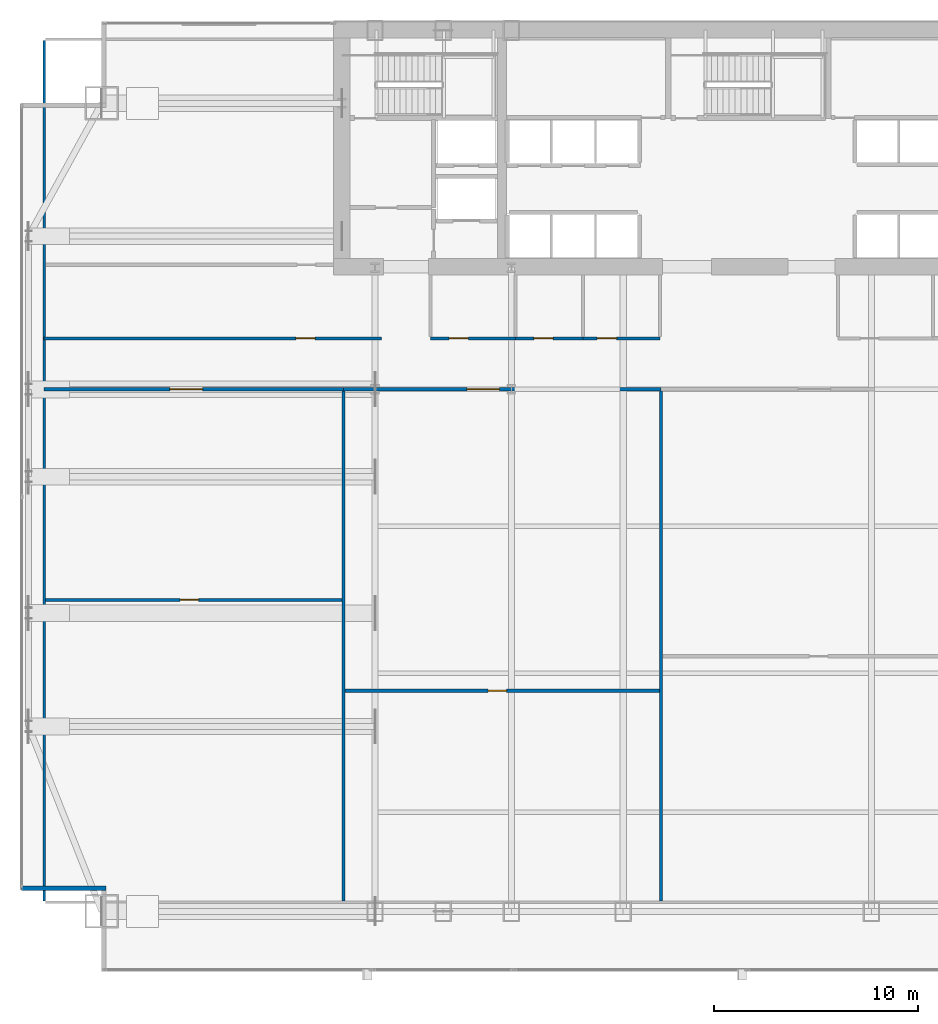
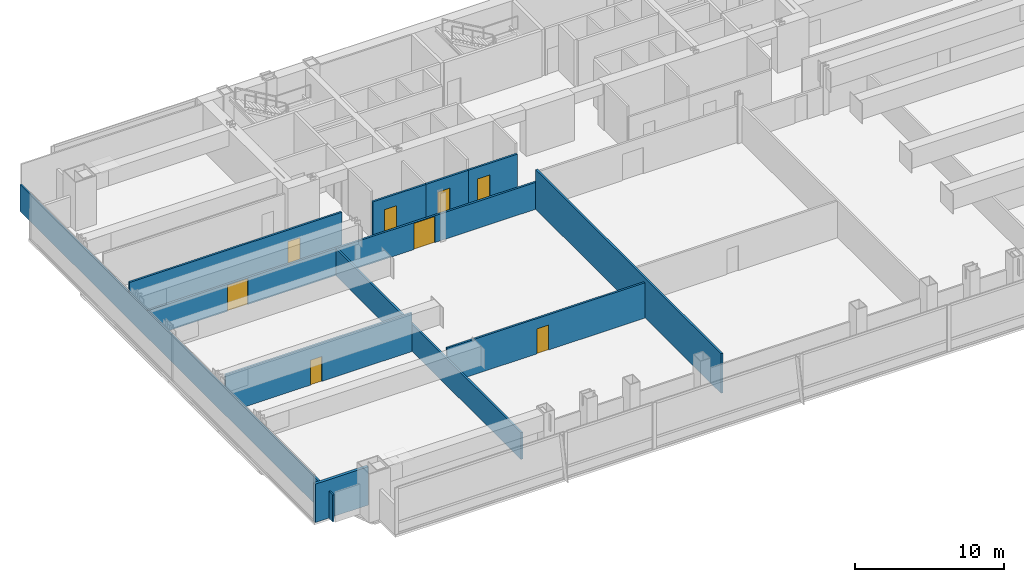
# One storey, part 26 of 32: 12 walls, 8 doors, 8 openings.
"""IFC4 building model written with IfcOpenShell, lengths in metres."""

from ifc_helpers import new_model, si_unit, direction, frame, frame_2d, origin, place, context, subcontext, project, spatial, rectangle, extrude, material, layer, layer_set, type_object, element, fill, save


model = new_model("IFC4")

# Units and contexts
model_context = context("Model", 3, precision=1e-05, world=origin(), true_north=direction((0.0, 1.0)))
body_context = subcontext(model_context, "Body", "Model", "MODEL_VIEW")
ifc_project = project(units=[si_unit("LENGTHUNIT", "METRE"), si_unit("AREAUNIT", "SQUARE_METRE"), si_unit("VOLUMEUNIT", "CUBIC_METRE"), si_unit("PLANEANGLEUNIT", "RADIAN"), si_unit("MASSUNIT", "GRAM", prefix="KILO")], contexts=[model_context])

# Site, building, storey
site_placement = place(None, origin())
site = spatial("IfcSite", under=ifc_project, at=site_placement, CompositionType="ELEMENT")
building_placement = place(site_placement, origin())
building = spatial("IfcBuilding", under=site, at=building_placement, Name="Khoronbel Lancet Exchange", CompositionType="ELEMENT")
storey_placement = place(building_placement, frame((0.0, 0.0, 77.800048828125)))
storey = spatial("IfcBuildingStorey", under=building, at=storey_placement, Name="L18", CompositionType="ELEMENT", Elevation=77.800048828125)

# Wall
ifc_material_1 = material(Name="Precast concrete C40/50", Category="concrete")
ifc_layer_1 = layer(ifc_material_1, 0.25, Name="Precast concrete C40/50")
ifc_layer_set_1 = layer_set([ifc_layer_1], Name="Precast concrete C40/50")
wall_type_1 = type_object("IfcWallType", Name="WL-EXT250", PredefinedType="SOLIDWALL", material=ifc_layer_set_1)
wall_1_placement = place(storey_placement, frame((5.050048828125, 11.2900390625, 0.0), z_axis=(0.0, 0.0, 1.0), x_axis=(-1.0, 0.0, 0.0)))
element("IfcWall", 1, at=wall_1_placement, inside=storey, type_object=wall_type_1, Name="Level L18 notched-corner limestone pier 02", PredefinedType="SOLIDWALL", context=body_context, shape_type="SweptSolid", body=[
    extrude(rectangle(XDim=4.130126953125, YDim=0.219970703125, at=frame_2d((2.06494140625, 0.0))), origin(), (0.0, 0.0, 1.0), 3.159912109375),
])

# Wall, opening, door
ifc_material_2 = material(Name="Acoustic Metal-Stud & Mineral-Wool Gypsum Partition 120 mm", Category="gypsum")
ifc_layer_2 = layer(ifc_material_2, 0.1201171875, Name="Acoustic Metal-Stud & Mineral-Wool Gypsum Partition 120 mm")
ifc_layer_set_2 = layer_set([ifc_layer_2], Name="Acoustic Metal-Stud & Mineral-Wool Gypsum Partition 120 mm")
wall_type_2 = type_object("IfcWallType", Name="WL-PRT120", PredefinedType="PARTITIONING", material=ifc_layer_set_2)
wall_2_placement = place(storey_placement, frame((2.094970703125, 25.395263671875, 0.0), z_axis=(0.0, 0.0, 1.0), x_axis=(1.0, 0.0, 0.0)))
wall_2 = element("IfcWall", 2, at=wall_2_placement, inside=storey, type_object=wall_type_2, Name="Level L18 interior partition PW-Z1S-H1", PredefinedType="PARTITIONING", context=body_context, shape_type="SweptSolid", body=[
    extrude(rectangle(XDim=14.5146484375, YDim=0.14990234375, at=frame_2d((7.25732421875, 0.0))), origin(), (0.0, 0.0, 1.0), 3.159912109375),
])
opening_1_placement = place(wall_2_placement, frame((6.5966796875, 0.0, 0.0)))
opening_1 = element("IfcOpeningElement", 3, at=opening_1_placement, cuts=wall_2, Name="Opening D5", PredefinedType="OPENING", context=body_context, shape_type="SweptSolid", body=[
    extrude(rectangle(XDim=0.89990234375, YDim=2.050048828125, at=frame_2d((0.449951171875, 1.02490234375))), frame((0.0, 0.0849609375, 0.0), z_axis=(0.0, -1.0, 0.0), x_axis=(1.0, 0.0, 0.0)), (0.0, 0.0, 1.0), 0.169921875),
])
ifc_material_3 = material(Name="Acoustic Timber Pantry & Support Door", Category="wood")
door_type_1 = type_object("IfcDoorType", Name="DR-D5", OperationType="NOTDEFINED", PredefinedType="DOOR", material=ifc_material_3)
door_1_placement = place(opening_1_placement, origin())
door_1 = element("IfcDoor", 4, at=door_1_placement, inside=storey, type_object=door_type_1, Name="Z1S inner door 1 L18-1", OperationType="SINGLE_SWING_LEFT", OverallHeight=2.050048828125, OverallWidth=0.89990234375, PredefinedType="DOOR", context=body_context, shape_type="SweptSolid", body=[
    extrude(rectangle(XDim=0.89990234375, YDim=2.050048828125, at=frame_2d((0.449951171875, 1.02490234375))), frame((0.0, 0.02490234375, 0.0), z_axis=(0.0, -1.0, 0.0), x_axis=(1.0, 0.0, 0.0)), (0.0, 0.0, 1.0), 0.050048828125),
])
fill(opening_1, door_1)

wall_3_placement = place(storey_placement, frame((16.76953125, 20.948486328125, 0.0), z_axis=(0.0, 0.0, 1.0), x_axis=(1.0, 0.0, 0.0)))
wall_3 = element("IfcWall", 5, at=wall_3_placement, inside=storey, type_object=wall_type_2, Name="Level L18 interior partition PW-Z1S-H2", PredefinedType="PARTITIONING", context=body_context, shape_type="SweptSolid", body=[
    extrude(rectangle(XDim=15.385498046875, YDim=0.14990234375, at=frame_2d((7.69287109375, 0.0))), origin(), (0.0, 0.0, 1.0), 2.909912109375),
])
opening_2_placement = place(wall_3_placement, frame((6.995361328125, 0.0, 0.0)))
opening_2 = element("IfcOpeningElement", 6, at=opening_2_placement, cuts=wall_3, Name="Opening D5", PredefinedType="OPENING", context=body_context, shape_type="SweptSolid", body=[
    extrude(rectangle(XDim=0.89990234375, YDim=2.050048828125, at=frame_2d((0.449951171875, 1.02490234375))), frame((0.0, 0.0849609375, 0.0), z_axis=(0.0, -1.0, 0.0), x_axis=(1.0, 0.0, 0.0)), (0.0, 0.0, 1.0), 0.169921875),
])
door_2_placement = place(opening_2_placement, origin())
door_2 = element("IfcDoor", 7, at=door_2_placement, inside=storey, type_object=door_type_1, Name="Z1S inner door 2 L18-1", OperationType="SINGLE_SWING_RIGHT", OverallHeight=2.050048828125, OverallWidth=0.89990234375, PredefinedType="DOOR", context=body_context, shape_type="SweptSolid", body=[
    extrude(rectangle(XDim=0.89990234375, YDim=2.050048828125, at=frame_2d((0.449951171875, 1.02490234375))), frame((0.0, 0.02490234375, 0.0), z_axis=(0.0, -1.0, 0.0), x_axis=(1.0, 0.0, 0.0)), (0.0, 0.0, 1.0), 0.050048828125),
])
fill(opening_2, door_2)

# Wall
wall_4_placement = place(storey_placement, frame((2.030029296875, 10.6650390625, 0.0), z_axis=(0.0, 0.0, 1.0), x_axis=(0.0, 1.0, 0.0)))
element("IfcWall", 8, at=wall_4_placement, inside=storey, type_object=wall_type_2, Name="Level L18 interior partition PW-LIN-W", PredefinedType="PARTITIONING", context=body_context, shape_type="SweptSolid", body=[
    extrude(rectangle(XDim=42.10986328125, YDim=0.1201171875, at=frame_2d((21.054931640625, 0.0))), origin(), (0.0, 0.0, 1.0), 2.2099609375),
])

# Wall, opening, door
ifc_material_4 = material(Name="Fire-Rated Twin-Stud Acoustic Gypsum Partition 150 mm", Category="gypsum")
ifc_layer_3 = layer(ifc_material_4, 0.14990234375, Name="Fire-Rated Twin-Stud Acoustic Gypsum Partition 150 mm")
ifc_layer_set_3 = layer_set([ifc_layer_3], Name="Fire-Rated Twin-Stud Acoustic Gypsum Partition 150 mm")
wall_type_3 = type_object("IfcWallType", Name="WL-PRT150C", PredefinedType="PARTITIONING", material=ifc_layer_set_3)
wall_5_placement = place(storey_placement, frame((20.949951171875, 38.199951171875, 0.0), z_axis=(0.0, 0.0, 1.0), x_axis=(1.0, 0.0, 0.0)))
wall_5 = element("IfcWall", 9, at=wall_5_placement, inside=storey, type_object=wall_type_3, Name="Level L18 interior partition PW-WC-S1", PredefinedType="PARTITIONING", context=body_context, shape_type="SweptSolid", body=[
    extrude(rectangle(XDim=4.150146484375, YDim=0.14990234375, at=frame_2d((2.0751953125, 0.0))), origin(), (0.0, 0.0, 1.0), 3.010009765625),
])
opening_3_placement = place(wall_5_placement, frame((0.89990234375, 0.0, 0.0)))
opening_3 = element("IfcOpeningElement", 10, at=opening_3_placement, cuts=wall_5, Name="Opening D4", PredefinedType="OPENING", context=body_context, shape_type="SweptSolid", body=[
    extrude(rectangle(XDim=0.949951171875, YDim=2.050048828125, at=frame_2d((0.47509765625, 1.02490234375))), frame((0.0, 0.0849609375, 0.0), z_axis=(0.0, -1.0, 0.0), x_axis=(1.0, 0.0, 0.0)), (0.0, 0.0, 1.0), 0.169921875),
])
ifc_material_5 = material(Name="Moisture-Resistant HPL Washroom Door", Category="wood")
door_type_2 = type_object("IfcDoorType", Name="DR-D4", OperationType="NOTDEFINED", PredefinedType="DOOR", material=ifc_material_5)
door_3_placement = place(opening_3_placement, origin())
door_3 = element("IfcDoor", 11, at=door_3_placement, inside=storey, type_object=door_type_2, Name="Male washroom door L18-1", OperationType="SINGLE_SWING_RIGHT", OverallHeight=2.050048828125, OverallWidth=0.949951171875, PredefinedType="DOOR", context=body_context, shape_type="SweptSolid", body=[
    extrude(rectangle(XDim=0.949951171875, YDim=2.050048828125, at=frame_2d((0.47509765625, 1.02490234375))), frame((0.0, 0.02490234375, 0.0), z_axis=(0.0, -1.0, 0.0), x_axis=(1.0, 0.0, 0.0)), (0.0, 0.0, 1.0), 0.050048828125),
])
fill(opening_3, door_3)

wall_6_placement = place(storey_placement, frame((25.10009765625, 38.199951171875, 0.0), z_axis=(0.0, 0.0, 1.0), x_axis=(1.0, 0.0, 0.0)))
wall_6 = element("IfcWall", 12, at=wall_6_placement, inside=storey, type_object=wall_type_3, Name="Level L18 interior partition PW-WC-S2", PredefinedType="PARTITIONING", context=body_context, shape_type="SweptSolid", body=[
    extrude(rectangle(XDim=3.2998046875, YDim=0.14990234375, at=frame_2d((1.64990234375, 0.0))), origin(), (0.0, 0.0, 1.0), 3.010009765625),
])
opening_4_placement = place(wall_6_placement, frame((0.89990234375, 0.0, 0.0)))
opening_4 = element("IfcOpeningElement", 13, at=opening_4_placement, cuts=wall_6, Name="Opening D4", PredefinedType="OPENING", context=body_context, shape_type="SweptSolid", body=[
    extrude(rectangle(XDim=0.949951171875, YDim=2.050048828125, at=frame_2d((0.47509765625, 1.02490234375))), frame((0.0, 0.0849609375, 0.0), z_axis=(0.0, -1.0, 0.0), x_axis=(1.0, 0.0, 0.0)), (0.0, 0.0, 1.0), 0.169921875),
])
door_4_placement = place(opening_4_placement, origin())
door_4 = element("IfcDoor", 14, at=door_4_placement, inside=storey, type_object=door_type_2, Name="Female washroom door L18-1", OperationType="SINGLE_SWING_LEFT", OverallHeight=2.050048828125, OverallWidth=0.949951171875, PredefinedType="DOOR", context=body_context, shape_type="SweptSolid", body=[
    extrude(rectangle(XDim=0.949951171875, YDim=2.050048828125, at=frame_2d((0.47509765625, 1.02490234375))), frame((0.0, 0.02490234375, 0.0), z_axis=(0.0, -1.0, 0.0), x_axis=(1.0, 0.0, 0.0)), (0.0, 0.0, 1.0), 0.050048828125),
])
fill(opening_4, door_4)

wall_7_placement = place(storey_placement, frame((28.39990234375, 38.199951171875, 0.0), z_axis=(0.0, 0.0, 1.0), x_axis=(1.0, 0.0, 0.0)))
wall_7 = element("IfcWall", 15, at=wall_7_placement, inside=storey, type_object=wall_type_3, Name="Level L18 interior partition PW-WC-S3", PredefinedType="PARTITIONING", context=body_context, shape_type="SweptSolid", body=[
    extrude(rectangle(XDim=3.780029296875, YDim=0.14990234375, at=frame_2d((1.89013671875, 0.0))), origin(), (0.0, 0.0, 1.0), 3.010009765625),
])
opening_5_placement = place(wall_7_placement, frame((0.699951171875, 0.0, 0.0)))
opening_5 = element("IfcOpeningElement", 16, at=opening_5_placement, cuts=wall_7, Name="Opening D4", PredefinedType="OPENING", context=body_context, shape_type="SweptSolid", body=[
    extrude(rectangle(XDim=0.949951171875, YDim=2.050048828125, at=frame_2d((0.47509765625, 1.02490234375))), frame((0.0, 0.0849609375, 0.0), z_axis=(0.0, -1.0, 0.0), x_axis=(1.0, 0.0, 0.0)), (0.0, 0.0, 1.0), 0.169921875),
])
door_5_placement = place(opening_5_placement, origin())
door_5 = element("IfcDoor", 17, at=door_5_placement, inside=storey, type_object=door_type_2, Name="Accessible WC door L18-1", OperationType="SINGLE_SWING_RIGHT", OverallHeight=2.050048828125, OverallWidth=0.949951171875, PredefinedType="DOOR", context=body_context, shape_type="SweptSolid", body=[
    extrude(rectangle(XDim=0.949951171875, YDim=2.050048828125, at=frame_2d((0.47509765625, 1.02490234375))), frame((0.0, 0.02490234375, 0.0), z_axis=(0.0, -1.0, 0.0), x_axis=(1.0, 0.0, 0.0)), (0.0, 0.0, 1.0), 0.050048828125),
])
fill(opening_5, door_5)

wall_8_placement = place(storey_placement, frame((2.030029296875, 38.199951171875, 0.0), z_axis=(0.0, 0.0, 1.0), x_axis=(1.0, 0.0, 0.0)))
wall_8 = element("IfcWall", 18, at=wall_8_placement, inside=storey, type_object=wall_type_3, Name="Level L18 interior partition PW-NW-S", PredefinedType="PARTITIONING", context=body_context, shape_type="SweptSolid", body=[
    extrude(rectangle(XDim=16.52001953125, YDim=0.14990234375, at=frame_2d((8.260009765625, 0.0))), origin(), (0.0, 0.0, 1.0), 3.010009765625),
])
opening_6_placement = place(wall_8_placement, frame((12.320068359375, 0.0, 0.0)))
opening_6 = element("IfcOpeningElement", 19, at=opening_6_placement, cuts=wall_8, Name="Opening D1", PredefinedType="OPENING", context=body_context, shape_type="SweptSolid", body=[
    extrude(rectangle(XDim=0.949951171875, YDim=2.050048828125, at=frame_2d((0.47509765625, 1.02490234375))), frame((0.0, 0.0849609375, 0.0), z_axis=(0.0, -1.0, 0.0), x_axis=(1.0, 0.0, 0.0)), (0.0, 0.0, 1.0), 0.169921875),
])
ifc_material_6 = material(Name="Acoustic Veneered Timber & Bronze Frame Door", Category="wood")
door_type_3 = type_object("IfcDoorType", Name="DR-D1", OperationType="NOTDEFINED", PredefinedType="DOOR", material=ifc_material_6)
door_6_placement = place(opening_6_placement, origin())
door_6 = element("IfcDoor", 20, at=door_6_placement, inside=storey, type_object=door_type_3, Name="NW corner room door L18-1", OperationType="SINGLE_SWING_LEFT", OverallHeight=2.050048828125, OverallWidth=0.949951171875, PredefinedType="DOOR", context=body_context, shape_type="SweptSolid", body=[
    extrude(rectangle(XDim=0.949951171875, YDim=2.050048828125, at=frame_2d((0.47509765625, 1.02490234375))), frame((0.0, 0.02490234375, 0.0), z_axis=(0.0, -1.0, 0.0), x_axis=(1.0, 0.0, 0.0)), (0.0, 0.0, 1.0), 0.050048828125),
])
fill(opening_6, door_6)

# Walls
wall_9_placement = place(storey_placement, frame((16.689697265625, 10.6650390625, 0.0), z_axis=(0.0, 0.0, 1.0), x_axis=(0.0, 1.0, 0.0)))
element("IfcWall", 21, at=wall_9_placement, inside=storey, type_object=wall_type_3, Name="Level L18 interior partition PW-Z1S-V1", PredefinedType="PARTITIONING", context=body_context, shape_type="SweptSolid", body=[
    extrude(rectangle(XDim=24.949951171875, YDim=0.14990234375, at=frame_2d((12.47509765625, 0.0))), origin(), (0.0, 0.0, 1.0), 2.2099609375),
])
wall_10_placement = place(storey_placement, frame((32.235107421875, 10.6650390625, 0.0), z_axis=(0.0, 0.0, 1.0), x_axis=(0.0, 1.0, 0.0)))
element("IfcWall", 22, at=wall_10_placement, inside=storey, type_object=wall_type_3, Name="Level L18 interior partition PW-Z1S-V2", PredefinedType="PARTITIONING", context=body_context, shape_type="SweptSolid", body=[
    extrude(rectangle(XDim=24.949951171875, YDim=0.14990234375, at=frame_2d((12.47509765625, 0.0))), origin(), (0.0, 0.0, 1.0), 3.260009765625),
])

# Wall, opening, door
ifc_material_7 = material(Name="Fire-Rated Twin-Stud Acoustic Gypsum Partition 160 mm", Category="gypsum")
ifc_layer_4 = layer(ifc_material_7, 0.159912109375, Name="Fire-Rated Twin-Stud Acoustic Gypsum Partition 160 mm")
ifc_layer_set_4 = layer_set([ifc_layer_4], Name="Fire-Rated Twin-Stud Acoustic Gypsum Partition 160 mm")
wall_type_4 = type_object("IfcWallType", Name="WL-PRT160C", PredefinedType="PARTITIONING", material=ifc_layer_set_4)
wall_11_placement = place(storey_placement, frame((2.030029296875, 35.699951171875, 0.0), z_axis=(0.0, 0.0, 1.0), x_axis=(1.0, 0.0, 0.0)))
wall_11 = element("IfcWall", 23, at=wall_11_placement, inside=storey, type_object=wall_type_4, Name="Level L18 interior partition PW-Z1S-COR1", PredefinedType="PARTITIONING", context=body_context, shape_type="SweptSolid", body=[
    extrude(rectangle(XDim=14.65966796875, YDim=0.159912109375, at=frame_2d((7.329833984375, 0.0))), origin(), (0.0, 0.0, 1.0), 2.2099609375),
])
opening_7_placement = place(wall_11_placement, frame((6.156982421875, 0.0, 0.0)))
opening_7 = element("IfcOpeningElement", 24, at=opening_7_placement, cuts=wall_11, Name="Opening D3", PredefinedType="OPENING", context=body_context, shape_type="SweptSolid", body=[
    extrude(rectangle(XDim=1.60009765625, YDim=2.14990234375, at=frame_2d((0.800048828125, 1.074951171875))), frame((0.0, 0.08984375, 0.0), z_axis=(0.0, -1.0, 0.0), x_axis=(1.0, 0.0, 0.0)), (0.0, 0.0, 1.0), 0.179931640625),
])
ifc_material_8 = material(Name="Glazed Bronze-Framed Double Suite Door", Category="aluminium")
door_type_4 = type_object("IfcDoorType", Name="DR-D3", OperationType="NOTDEFINED", PredefinedType="DOOR", material=ifc_material_8)
door_7_placement = place(opening_7_placement, origin())
door_7 = element("IfcDoor", 25, at=door_7_placement, inside=storey, type_object=door_type_4, Name="Z1S bay 1 door L18-1", OperationType="DOUBLE_DOOR_SINGLE_SWING", OverallHeight=2.14990234375, OverallWidth=1.60009765625, PredefinedType="DOOR", context=body_context, shape_type="SweptSolid", body=[
    extrude(rectangle(XDim=1.60009765625, YDim=2.14990234375, at=frame_2d((0.800048828125, 1.074951171875))), frame((0.0, 0.02490234375, 0.0), z_axis=(0.0, -1.0, 0.0), x_axis=(1.0, 0.0, 0.0)), (0.0, 0.0, 1.0), 0.050048828125),
])
fill(opening_7, door_7)

wall_12_placement = place(storey_placement, frame((16.689697265625, 35.699951171875, 0.0), z_axis=(0.0, 0.0, 1.0), x_axis=(1.0, 0.0, 0.0)))
wall_12 = element("IfcWall", 26, at=wall_12_placement, inside=storey, type_object=wall_type_4, Name="Level L18 interior partition PW-Z1S-COR2", PredefinedType="PARTITIONING", context=body_context, shape_type="SweptSolid", body=[
    extrude(rectangle(XDim=15.54541015625, YDim=0.159912109375, at=frame_2d((7.772705078125, 0.0))), origin(), (0.0, 0.0, 1.0), 2.2099609375),
])
opening_8_placement = place(wall_12_placement, frame((6.029052734375, 0.0, 0.0)))
opening_8 = element("IfcOpeningElement", 27, at=opening_8_placement, cuts=wall_12, Name="Opening D3", PredefinedType="OPENING", context=body_context, shape_type="SweptSolid", body=[
    extrude(rectangle(XDim=1.60009765625, YDim=2.14990234375, at=frame_2d((0.800048828125, 1.074951171875))), frame((0.0, 0.08984375, 0.0), z_axis=(0.0, -1.0, 0.0), x_axis=(1.0, 0.0, 0.0)), (0.0, 0.0, 1.0), 0.179931640625),
])
door_8_placement = place(opening_8_placement, origin())
door_8 = element("IfcDoor", 28, at=door_8_placement, inside=storey, type_object=door_type_4, Name="Z1S bay 2 door L18-1", OperationType="DOUBLE_DOOR_SINGLE_SWING", OverallHeight=2.14990234375, OverallWidth=1.60009765625, PredefinedType="DOOR", context=body_context, shape_type="SweptSolid", body=[
    extrude(rectangle(XDim=1.60009765625, YDim=2.14990234375, at=frame_2d((0.800048828125, 1.074951171875))), frame((0.0, 0.02490234375, 0.0), z_axis=(0.0, -1.0, 0.0), x_axis=(1.0, 0.0, 0.0)), (0.0, 0.0, 1.0), 0.050048828125),
])
fill(opening_8, door_8)

save(model, "model.ifc")
